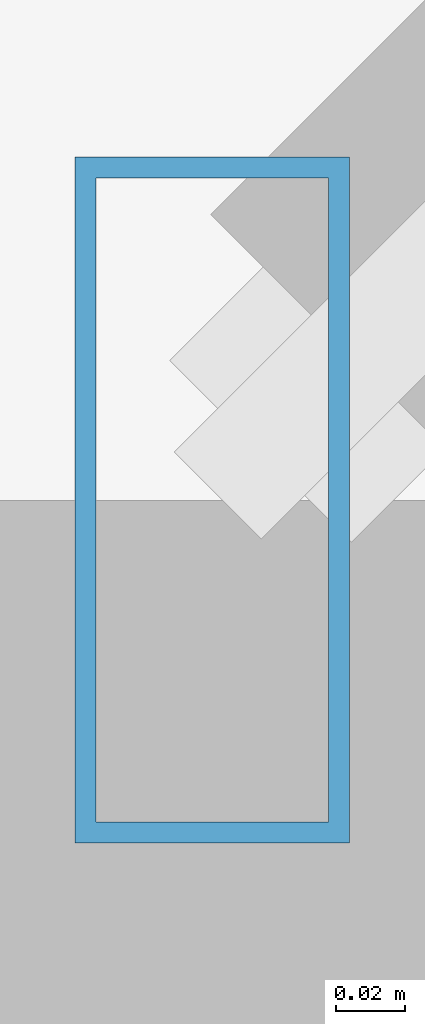
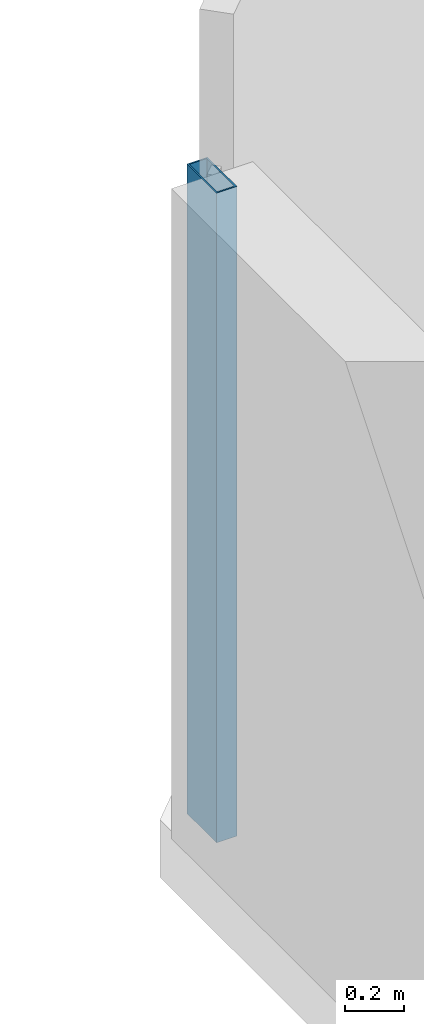
# One storey, part 11 of 33: 1 member, 1 element without a shape of its own.
"""IFC4 building model written with IfcOpenShell, lengths in metres."""

from ifc_helpers import new_model, si_unit, direction, frame, origin, origin_2d, place, context, subcontext, project, spatial, hollow_rectangle, extrude, material, material_profile, profile_set, type_object, element, aggregate, save


model = new_model("IFC4")

# Units and contexts
model_context = context("Model", 3, precision=1e-05, world=origin(), true_north=direction((0.0, 1.0)))
body_context = subcontext(model_context, "Body", "Model", "MODEL_VIEW")
ifc_project = project(units=[si_unit("LENGTHUNIT", "METRE"), si_unit("AREAUNIT", "SQUARE_METRE"), si_unit("VOLUMEUNIT", "CUBIC_METRE"), si_unit("PLANEANGLEUNIT", "RADIAN"), si_unit("MASSUNIT", "GRAM", prefix="KILO")], contexts=[model_context])

# Site, building, storey
site_placement = place(None, origin())
site = spatial("IfcSite", under=ifc_project, at=site_placement, CompositionType="ELEMENT")
building_placement = place(site_placement, origin())
building = spatial("IfcBuilding", under=site, at=building_placement, Name="Thornwick Lancets Civic Towers", CompositionType="ELEMENT")
storey_placement = place(building_placement, frame((0.0, 0.0, 159.89990234375)))
storey = spatial("IfcBuildingStorey", under=building, at=storey_placement, Name="L42", CompositionType="ELEMENT", Elevation=159.89990234375)

# Curtain wall, member
ifc_material_1 = material(Name="Mid-zone chamfered-corner unitised glass curtain wall", Category="glass")
curtain_wall_type = type_object("IfcCurtainWallType", Name="CW_SYS_04", PredefinedType="NOTDEFINED", material=ifc_material_1)
curtain_wall_placement = place(storey_placement, origin())
curtain_wall = element("IfcCurtainWall", 1, at=curtain_wall_placement, inside=storey, type_object=curtain_wall_type, Name="L42 Curtain Wall CW-L42-B-E5", PredefinedType="NOTDEFINED")
ifc_material_2 = material(Name="Thermally broken bronze aluminium S355", Category="steel")
ifc_material_profile = material_profile(ifc_material_2, hollow_rectangle(XDim=0.080078125, YDim=0.199951171875, WallThickness=0.006103515625, at=origin_2d()), Name="RHS 200x80x6")
ifc_profile_set = profile_set([ifc_material_profile], Name="Thermally broken bronze aluminium S355")
member_type = type_object("IfcMemberType", Name="CW_MUL_200", PredefinedType="MULLION", material=ifc_profile_set)
member_placement = place(storey_placement, frame((70.738037109375, 47.353515625, 0.0), z_axis=(0.0, 0.0, 1.0), x_axis=(1.0, 0.0, 0.0)))
member = element("IfcMember", 2, at=member_placement, type_object=member_type, Name="CW-L42-B-E5 Mullion 1", PredefinedType="MULLION", context=body_context, shape_type="SweptSolid", body=[
    extrude(hollow_rectangle(XDim=0.080078125, YDim=0.199951171875, WallThickness=0.006103515625, at=origin_2d()), origin(), (0.0, 0.0, 1.0), 2.7001953125),
])
aggregate(curtain_wall, [member])

save(model, "model.ifc")
